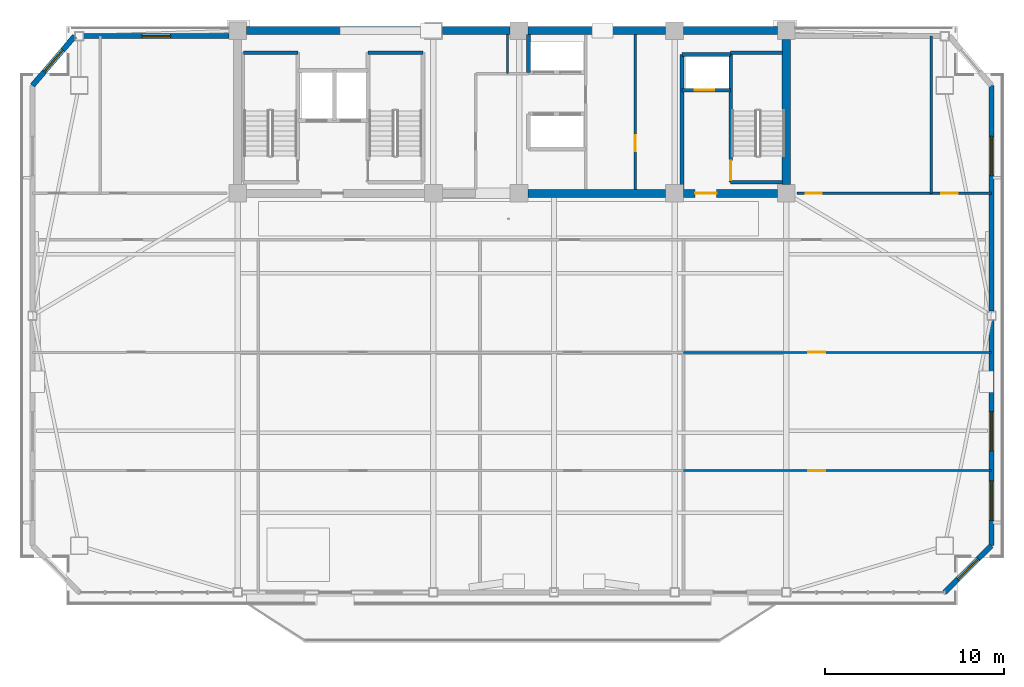
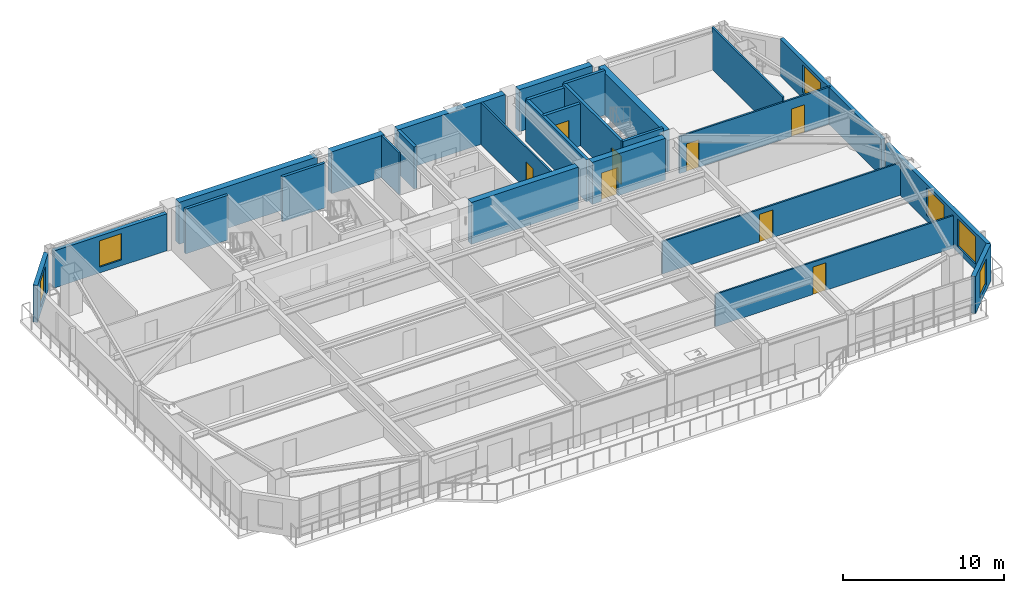
# One storey, part 10 of 17: 27 walls, 8 doors, 6 windows, 14 openings.
"""IFC4 building model written with IfcOpenShell, lengths in metres."""

from ifc_helpers import new_model, si_unit, direction, frame, frame_2d, origin, place, context, subcontext, project, spatial, rectangle, extrude, source, transform, mapped, material, layer, layer_set, type_object, element, fill, save


model = new_model("IFC4")

# Units and contexts
model_context = context("Model", 3, precision=1e-05, world=origin(), true_north=direction((0.0, 1.0)))
body_context = subcontext(model_context, "Body", "Model", "MODEL_VIEW")
ifc_project = project(units=[si_unit("LENGTHUNIT", "METRE"), si_unit("AREAUNIT", "SQUARE_METRE"), si_unit("VOLUMEUNIT", "CUBIC_METRE"), si_unit("PLANEANGLEUNIT", "RADIAN"), si_unit("MASSUNIT", "GRAM", prefix="KILO")], contexts=[model_context])

# Site, building, storey
site_placement = place(None, origin())
site = spatial("IfcSite", under=ifc_project, at=site_placement, CompositionType="ELEMENT")
building_placement = place(site_placement, origin())
building = spatial("IfcBuilding", under=site, at=building_placement, Name="Giltprow Tower", CompositionType="ELEMENT")
storey_placement = place(building_placement, frame((0.0, 0.0, 251.89990234375)))
storey = spatial("IfcBuildingStorey", under=building, at=storey_placement, Name="L64", CompositionType="ELEMENT", Elevation=251.89990234375)

# Wall, opening, window
ifc_material_1 = material(Name="Precast concrete C40", Category="concrete")
ifc_layer_1 = layer(ifc_material_1, 0.300048828125, Name="Precast concrete C40")
ifc_layer_set_1 = layer_set([ifc_layer_1], Name="Precast concrete C40")
wall_type_1 = type_object("IfcWallType", Name="EW-NOTCH-CHAMFER-300", PredefinedType="SOLIDWALL", material=ifc_layer_set_1)
wall_1_placement = place(storey_placement, frame((59.422119140625, 15.113037109375, 0.0), z_axis=(0.0, 0.0, 1.0), x_axis=(0.707106781187, 0.707106781187, 0.0)))
wall_1 = element("IfcWall", 1, at=wall_1_placement, inside=storey, type_object=wall_type_1, Name="L64 Corner Notch Wall SE", PredefinedType="SOLIDWALL", context=body_context, shape_type="SweptSolid", body=[
    extrude(rectangle(XDim=3.6982421875, YDim=0.300048828125, at=frame_2d((1.84912109375, 0.0))), origin(), (0.0, 0.0, 1.0), 2.815185546875),
])
opening_1_placement = place(wall_1_placement, frame((1.049072265625, 0.0, 0.449951171875)))
opening_1 = element("IfcOpeningElement", 2, at=opening_1_placement, cuts=wall_1, Name="Opening WN17", PredefinedType="OPENING", context=body_context, shape_type="SweptSolid", body=[
    extrude(rectangle(XDim=1.60009765625, YDim=2.0, at=frame_2d((0.800048828125, 1.0))), frame((0.0, 0.159912109375, 0.0), z_axis=(0.0, -1.0, 0.0), x_axis=(1.0, 0.0, 0.0)), (0.0, 0.0, 1.0), 0.320068359375),
])
ifc_material_2 = material(Name="Insulated glass", Category="glass")
window_type_1 = type_object("IfcWindowType", Name="WN-COR-1600x2000", PartitioningType="SINGLE_PANEL", PredefinedType="WINDOW", material=ifc_material_2)
shared_shape_1 = source(origin(), body_context, "Body", "SweptSolid", [
    extrude(rectangle(XDim=1.60009765625, YDim=2.0, at=frame_2d((0.800048828125, 1.0))), frame((0.0, 0.030029296875, 0.0), z_axis=(0.0, -1.0, 0.0), x_axis=(1.0, 0.0, 0.0)), (0.0, 0.0, 1.0), 0.06005859375),
])
window_1_placement = place(opening_1_placement, origin())
window_1 = element("IfcWindow", 3, at=window_1_placement, inside=storey, type_object=window_type_1, Name="L64 Corner Notch Window SE", OverallHeight=2.0, OverallWidth=1.60009765625, PartitioningType="SINGLE_PANEL", PredefinedType="WINDOW", context=body_context, shape_type="MappedRepresentation", body=[
    mapped(shared_shape_1, transform((0.0, 0.0, 0.0), x_axis=(1.0, 0.0, 0.0), y_axis=(0.0, 1.0, 0.0), z_axis=(0.0, 0.0, 1.0), scale=1.0)),
])
fill(opening_1, window_1)

wall_2_placement = place(storey_placement, frame((10.72900390625, 46.25, 0.0), z_axis=(0.0, 0.0, 1.0), x_axis=(-0.65001186438, -0.759924059472, 0.0)))
wall_2 = element("IfcWall", 4, at=wall_2_placement, inside=storey, type_object=wall_type_1, Name="L64 Corner Notch Wall NW", PredefinedType="SOLIDWALL", context=body_context, shape_type="SweptSolid", body=[
    extrude(rectangle(XDim=3.638427734375, YDim=0.300048828125, at=frame_2d((1.8193359375, 0.0))), origin(), (0.0, 0.0, 1.0), 2.815185546875),
])
opening_2_placement = place(wall_2_placement, frame((1.01904296875, 0.0, 0.449951171875)))
opening_2 = element("IfcOpeningElement", 5, at=opening_2_placement, cuts=wall_2, Name="Opening WN17", PredefinedType="OPENING", context=body_context, shape_type="SweptSolid", body=[
    extrude(rectangle(XDim=1.60009765625, YDim=2.0, at=frame_2d((0.800048828125, 1.0))), frame((0.0, 0.159912109375, 0.0), z_axis=(0.0, -1.0, 0.0), x_axis=(1.0, 0.0, 0.0)), (0.0, 0.0, 1.0), 0.320068359375),
])
window_2_placement = place(opening_2_placement, origin())
window_2 = element("IfcWindow", 6, at=window_2_placement, inside=storey, type_object=window_type_1, Name="L64 Corner Notch Window NW", OverallHeight=2.0, OverallWidth=1.60009765625, PartitioningType="SINGLE_PANEL", PredefinedType="WINDOW", context=body_context, shape_type="MappedRepresentation", body=[
    mapped(shared_shape_1, transform((0.0, 0.0, 0.0), x_axis=(1.0, 0.0, 0.0), y_axis=(0.0, 1.0, 0.0), z_axis=(0.0, 0.0, 1.0), scale=1.0)),
])
fill(opening_2, window_2)

# Wall, openings, windows
ifc_layer_2 = layer(ifc_material_1, 0.280029296875, Name="Precast concrete C40")
ifc_layer_set_2 = layer_set([ifc_layer_2], Name="Precast concrete C40")
wall_type_2 = type_object("IfcWallType", Name="EW-TOW-BRONZE-280", PredefinedType="SOLIDWALL", material=ifc_layer_set_2)
wall_3_placement = place(storey_placement, frame((62.037109375, 17.72802734375, 0.0), z_axis=(0.0, 0.0, 1.0), x_axis=(0.0, 1.0, 0.0)))
wall_3 = element("IfcWall", 7, at=wall_3_placement, inside=storey, type_object=wall_type_2, Name="L64 E Wing Masonry Wall 1", PredefinedType="SOLIDWALL", context=body_context, shape_type="SweptSolid", body=[
    extrude(rectangle(XDim=12.62890625, YDim=0.280029296875, at=frame_2d((6.314453125, 0.0))), origin(), (0.0, 0.0, 1.0), 2.815185546875),
])
opening_3_placement = place(wall_3_placement, frame((1.422119140625, 0.0, 0.449951171875)))
opening_3 = element("IfcOpeningElement", 8, at=opening_3_placement, cuts=wall_3, Name="Opening WN27", PredefinedType="OPENING", context=body_context, shape_type="SweptSolid", body=[
    extrude(rectangle(XDim=2.199951171875, YDim=2.10009765625, at=frame_2d((1.10009765625, 1.050048828125))), frame((0.0, 0.14990234375, 0.0), z_axis=(0.0, -1.0, 0.0), x_axis=(1.0, 0.0, 0.0)), (0.0, 0.0, 1.0), 0.300048828125),
])
opening_4_placement = place(wall_3_placement, frame((5.31005859375, 0.0, 0.449951171875)))
opening_4 = element("IfcOpeningElement", 9, at=opening_4_placement, cuts=wall_3, Name="Opening WN27", PredefinedType="OPENING", context=body_context, shape_type="SweptSolid", body=[
    extrude(rectangle(XDim=2.199951171875, YDim=2.10009765625, at=frame_2d((1.10009765625, 1.050048828125))), frame((0.0, 0.14990234375, 0.0), z_axis=(0.0, -1.0, 0.0), x_axis=(1.0, 0.0, 0.0)), (0.0, 0.0, 1.0), 0.300048828125),
])
window_type_2 = type_object("IfcWindowType", Name="WN-RES-2200x2100", PartitioningType="TRIPLE_PANEL_VERTICAL", PredefinedType="WINDOW", material=ifc_material_2)
shared_shape_2 = source(origin(), body_context, "Body", "SweptSolid", [
    extrude(rectangle(XDim=2.199951171875, YDim=2.10009765625, at=frame_2d((1.10009765625, 1.050048828125))), frame((0.0, 0.030029296875, 0.0), z_axis=(0.0, -1.0, 0.0), x_axis=(1.0, 0.0, 0.0)), (0.0, 0.0, 1.0), 0.06005859375),
])
window_3_placement = place(opening_3_placement, origin())
window_3 = element("IfcWindow", 10, at=window_3_placement, inside=storey, type_object=window_type_2, Name="L64 E Wing Window 1-1A", OverallHeight=2.10009765625, OverallWidth=2.199951171875, PartitioningType="SINGLE_PANEL", PredefinedType="WINDOW", context=body_context, shape_type="MappedRepresentation", body=[
    mapped(shared_shape_2, transform((0.0, 0.0, 0.0), x_axis=(1.0, 0.0, 0.0), y_axis=(0.0, 1.0, 0.0), z_axis=(0.0, 0.0, 1.0), scale=1.0)),
])
fill(opening_3, window_3)
window_4_placement = place(opening_4_placement, origin())
window_4 = element("IfcWindow", 11, at=window_4_placement, inside=storey, type_object=window_type_2, Name="L64 E Wing Window 1-1B", OverallHeight=2.10009765625, OverallWidth=2.199951171875, PartitioningType="SINGLE_PANEL", PredefinedType="WINDOW", context=body_context, shape_type="MappedRepresentation", body=[
    mapped(shared_shape_2, transform((0.0, 0.0, 0.0), x_axis=(1.0, 0.0, 0.0), y_axis=(0.0, 1.0, 0.0), z_axis=(0.0, 0.0, 1.0), scale=1.0)),
])
fill(opening_4, window_4)

# Wall, opening, window
wall_4_placement = place(storey_placement, frame((62.037109375, 30.85693359375, 0.0), z_axis=(0.0, 0.0, 1.0), x_axis=(0.0, 1.0, 0.0)))
wall_4 = element("IfcWall", 12, at=wall_4_placement, inside=storey, type_object=wall_type_2, Name="L64 E Wing Masonry Wall 2", PredefinedType="SOLIDWALL", context=body_context, shape_type="SweptSolid", body=[
    extrude(rectangle(XDim=12.628173828125, YDim=0.280029296875, at=frame_2d((6.31396484375, 0.0))), origin(), (0.0, 0.0, 1.0), 2.815185546875),
])
opening_5_placement = place(wall_4_placement, frame((7.5830078125, 0.0, 0.449951171875)))
opening_5 = element("IfcOpeningElement", 13, at=opening_5_placement, cuts=wall_4, Name="Opening WN27", PredefinedType="OPENING", context=body_context, shape_type="SweptSolid", body=[
    extrude(rectangle(XDim=2.199951171875, YDim=2.10009765625, at=frame_2d((1.10009765625, 1.050048828125))), frame((0.0, 0.14990234375, 0.0), z_axis=(0.0, -1.0, 0.0), x_axis=(1.0, 0.0, 0.0)), (0.0, 0.0, 1.0), 0.300048828125),
])
window_5_placement = place(opening_5_placement, origin())
window_5 = element("IfcWindow", 14, at=window_5_placement, inside=storey, type_object=window_type_2, Name="L64 E Wing Window 2-1", OverallHeight=2.10009765625, OverallWidth=2.199951171875, PartitioningType="SINGLE_PANEL", PredefinedType="WINDOW", context=body_context, shape_type="MappedRepresentation", body=[
    mapped(shared_shape_2, transform((0.0, 0.0, 0.0), x_axis=(1.0, 0.0, 0.0), y_axis=(0.0, 1.0, 0.0), z_axis=(0.0, 0.0, 1.0), scale=1.0)),
])
fill(opening_5, window_5)

wall_5_placement = place(storey_placement, frame((11.22900390625, 46.25, 0.0), z_axis=(0.0, 0.0, 1.0), x_axis=(1.0, 0.0, 0.0)))
wall_5 = element("IfcWall", 15, at=wall_5_placement, inside=storey, type_object=wall_type_2, Name="L64 North-West Wing Wall", PredefinedType="SOLIDWALL", context=body_context, shape_type="SweptSolid", body=[
    extrude(rectangle(XDim=8.12109375, YDim=0.280029296875, at=frame_2d((4.060546875, 0.0))), origin(), (0.0, 0.0, 1.0), 2.815185546875),
])
opening_6_placement = place(wall_5_placement, frame((3.260986328125, 0.0, 0.449951171875)))
opening_6 = element("IfcOpeningElement", 16, at=opening_6_placement, cuts=wall_5, Name="Opening WN17", PredefinedType="OPENING", context=body_context, shape_type="SweptSolid", body=[
    extrude(rectangle(XDim=1.60009765625, YDim=2.0, at=frame_2d((0.800048828125, 1.0))), frame((0.0, 0.14990234375, 0.0), z_axis=(0.0, -1.0, 0.0), x_axis=(1.0, 0.0, 0.0)), (0.0, 0.0, 1.0), 0.300048828125),
])
window_6_placement = place(opening_6_placement, origin())
window_6 = element("IfcWindow", 17, at=window_6_placement, inside=storey, type_object=window_type_1, Name="L64 North-West Window", OverallHeight=2.0, OverallWidth=1.60009765625, PartitioningType="SINGLE_PANEL", PredefinedType="WINDOW", context=body_context, shape_type="MappedRepresentation", body=[
    mapped(shared_shape_1, transform((0.0, 0.0, 0.0), x_axis=(1.0, 0.0, 0.0), y_axis=(0.0, 1.0, 0.0), z_axis=(0.0, 0.0, 1.0), scale=1.0)),
])
fill(opening_6, window_6)

# Wall, opening, door
ifc_material_3 = material(Name="Gypsum stud partition", Category="gypsum")
ifc_layer_3 = layer(ifc_material_3, 0.1201171875, Name="Gypsum stud partition")
ifc_layer_set_3 = layer_set([ifc_layer_3], Name="Gypsum stud partition")
wall_type_3 = type_object("IfcWallType", Name="IW-ROOM-120", PredefinedType="PARTITIONING", material=ifc_layer_set_3)
wall_6_placement = place(storey_placement, frame((44.800048828125, 21.927978515625, 0.0), z_axis=(0.0, 0.0, 1.0), x_axis=(1.0, 0.0, 0.0)))
wall_6 = element("IfcWall", 18, at=wall_6_placement, inside=storey, type_object=wall_type_3, Name="L64 Special Split 1", PredefinedType="PARTITIONING", context=body_context, shape_type="SweptSolid", body=[
    extrude(rectangle(XDim=17.237060546875, YDim=0.1201171875, at=frame_2d((8.61865234375, 0.0))), origin(), (0.0, 0.0, 1.0), 2.47021484375),
])
opening_7_placement = place(wall_6_placement, frame((6.98095703125, 0.0, 0.0)))
opening_7 = element("IfcOpeningElement", 19, at=opening_7_placement, cuts=wall_6, Name="Opening ID11", PredefinedType="OPENING", context=body_context, shape_type="SweptSolid", body=[
    extrude(rectangle(XDim=0.949951171875, YDim=2.10009765625, at=frame_2d((0.47509765625, 1.050048828125))), frame((0.0, 0.070068359375, 0.0), z_axis=(0.0, -1.0, 0.0), x_axis=(1.0, 0.0, 0.0)), (0.0, 0.0, 1.0), 0.14013671875),
])
ifc_material_4 = material(Name="Engineered timber", Category="wood")
door_type_1 = type_object("IfcDoorType", Name="DR-ROOM-950", OperationType="SINGLE_SWING_RIGHT", PredefinedType="DOOR", material=ifc_material_4)
shared_shape_3 = source(origin(), body_context, "Body", "SweptSolid", [
    extrude(rectangle(XDim=0.949951171875, YDim=2.10009765625, at=frame_2d((0.47509765625, 1.050048828125))), frame((0.0, 0.02490234375, 0.0), z_axis=(0.0, -1.0, 0.0), x_axis=(1.0, 0.0, 0.0)), (0.0, 0.0, 1.0), 0.050048828125),
])
door_1_placement = place(opening_7_placement, origin())
door_1 = element("IfcDoor", 20, at=door_1_placement, inside=storey, type_object=door_type_1, Name="L64 Artisan Bakery Shop 2 South Door", OperationType="SINGLE_SWING_LEFT", OverallHeight=2.10009765625, OverallWidth=0.949951171875, PredefinedType="DOOR", context=body_context, shape_type="MappedRepresentation", body=[
    mapped(shared_shape_3, transform((0.0, 0.0, 0.0), x_axis=(1.0, 0.0, 0.0), y_axis=(0.0, 1.0, 0.0), z_axis=(0.0, 0.0, 1.0), scale=1.0)),
])
fill(opening_7, door_1)

wall_7_placement = place(storey_placement, frame((44.800048828125, 28.5439453125, 0.0), z_axis=(0.0, 0.0, 1.0), x_axis=(1.0, 0.0, 0.0)))
wall_7 = element("IfcWall", 21, at=wall_7_placement, inside=storey, type_object=wall_type_3, Name="L64 Special Split 2", PredefinedType="PARTITIONING", context=body_context, shape_type="SweptSolid", body=[
    extrude(rectangle(XDim=17.237060546875, YDim=0.1201171875, at=frame_2d((8.61865234375, 0.0))), origin(), (0.0, 0.0, 1.0), 2.47021484375),
])
opening_8_placement = place(wall_7_placement, frame((6.98095703125, 0.0, 0.0)))
opening_8 = element("IfcOpeningElement", 22, at=opening_8_placement, cuts=wall_7, Name="Opening ID11", PredefinedType="OPENING", context=body_context, shape_type="SweptSolid", body=[
    extrude(rectangle(XDim=0.949951171875, YDim=2.10009765625, at=frame_2d((0.47509765625, 1.050048828125))), frame((0.0, 0.070068359375, 0.0), z_axis=(0.0, -1.0, 0.0), x_axis=(1.0, 0.0, 0.0)), (0.0, 0.0, 1.0), 0.14013671875),
])
door_2_placement = place(opening_8_placement, origin())
door_2 = element("IfcDoor", 23, at=door_2_placement, inside=storey, type_object=door_type_1, Name="L64 Artisan Bakery Shop 2 Mid Door", OperationType="SINGLE_SWING_RIGHT", OverallHeight=2.10009765625, OverallWidth=0.949951171875, PredefinedType="DOOR", context=body_context, shape_type="MappedRepresentation", body=[
    mapped(shared_shape_3, transform((0.0, 0.0, 0.0), x_axis=(1.0, 0.0, 0.0), y_axis=(0.0, 1.0, 0.0), z_axis=(0.0, 0.0, 1.0), scale=1.0)),
])
fill(opening_8, door_2)

ifc_material_5 = material(Name="Concrete C40", Category="concrete")
ifc_layer_4 = layer(ifc_material_5, 0.219970703125, Name="Concrete C40")
ifc_layer_set_4 = layer_set([ifc_layer_4], Name="Concrete C40")
wall_type_4 = type_object("IfcWallType", Name="IW-SHAFT-220", PredefinedType="SOLIDWALL", material=ifc_layer_set_4)
wall_8_placement = place(storey_placement, frame((44.719970703125, 43.219970703125, 0.0), z_axis=(0.0, 0.0, 1.0), x_axis=(1.0, 0.0, 0.0)))
wall_8 = element("IfcWall", 24, at=wall_8_placement, inside=storey, type_object=wall_type_4, Name="L64 FFL2 Front Shaft Wall", PredefinedType="SOLIDWALL", context=body_context, shape_type="SweptSolid", body=[
    extrude(rectangle(XDim=2.719970703125, YDim=0.219970703125, at=frame_2d((1.35986328125, 0.0))), origin(), (0.0, 0.0, 1.0), 3.18505859375),
])
opening_9_placement = place(wall_8_placement, frame((0.699951171875, 0.0, 0.0)))
opening_9 = element("IfcOpeningElement", 25, at=opening_9_placement, cuts=wall_8, Name="Opening LD-11", PredefinedType="OPENING", context=body_context, shape_type="SweptSolid", body=[
    extrude(rectangle(XDim=1.10009765625, YDim=2.199951171875, at=frame_2d((0.550048828125, 1.10009765625))), frame((0.0, 0.119873046875, 0.0), z_axis=(0.0, -1.0, 0.0), x_axis=(1.0, 0.0, 0.0)), (0.0, 0.0, 1.0), 0.239990234375),
])
ifc_material_6 = material(Name="Stainless steel", Category="steel")
door_type_2 = type_object("IfcDoorType", Name="DR-LIFT-LD1100", OperationType="SLIDING_TO_LEFT", PredefinedType="DOOR", material=ifc_material_6)
shared_shape_4 = source(origin(), body_context, "Body", "SweptSolid", [
    extrude(rectangle(XDim=1.10009765625, YDim=2.199951171875, at=frame_2d((0.550048828125, 1.10009765625))), frame((0.0, 0.02490234375, 0.0), z_axis=(0.0, -1.0, 0.0), x_axis=(1.0, 0.0, 0.0)), (0.0, 0.0, 1.0), 0.050048828125),
])
door_3_placement = place(opening_9_placement, origin())
door_3 = element("IfcDoor", 26, at=door_3_placement, inside=storey, type_object=door_type_2, Name="L64 FFL2 Landing Door", OperationType="SLIDING_TO_LEFT", OverallHeight=2.199951171875, OverallWidth=1.10009765625, PredefinedType="DOOR", context=body_context, shape_type="MappedRepresentation", body=[
    mapped(shared_shape_4, transform((0.0, 0.0, 0.0), x_axis=(1.0, 0.0, 0.0), y_axis=(0.0, 1.0, 0.0), z_axis=(0.0, 0.0, 1.0), scale=1.0)),
])
fill(opening_9, door_3)

# Walls
wall_9_placement = place(storey_placement, frame((44.719970703125, 45.219970703125, 0.0), z_axis=(0.0, 0.0, 1.0), x_axis=(1.0, 0.0, 0.0)))
element("IfcWall", 27, at=wall_9_placement, inside=storey, type_object=wall_type_4, Name="L64 FFL2 Back Shaft Wall", PredefinedType="SOLIDWALL", context=body_context, shape_type="SweptSolid", body=[
    extrude(rectangle(XDim=2.719970703125, YDim=0.219970703125, at=frame_2d((1.35986328125, 0.0))), origin(), (0.0, 0.0, 1.0), 3.18505859375),
])
wall_10_placement = place(storey_placement, frame((44.719970703125, 37.655029296875, 0.0), z_axis=(0.0, 0.0, 1.0), x_axis=(0.0, 1.0, 0.0)))
element("IfcWall", 28, at=wall_10_placement, inside=storey, type_object=wall_type_4, Name="L64 East Firefighting Lobby West Wall", PredefinedType="SOLIDWALL", context=body_context, shape_type="SweptSolid", body=[
    extrude(rectangle(XDim=7.56494140625, YDim=0.219970703125, at=frame_2d((3.782470703125, 0.0))), origin(), (0.0, 0.0, 1.0), 3.18505859375),
])
wall_11_placement = place(storey_placement, frame((36.1201171875, 44.219970703125, 0.0), z_axis=(0.0, 0.0, 1.0), x_axis=(0.0, 1.0, 0.0)))
element("IfcWall", 29, at=wall_11_placement, inside=storey, type_object=wall_type_4, Name="L64 High-Rise North Lift West Closure", PredefinedType="SOLIDWALL", context=body_context, shape_type="SweptSolid", body=[
    extrude(rectangle(XDim=2.125, YDim=0.219970703125, at=frame_2d((1.0625, 0.0))), origin(), (0.0, 0.0, 1.0), 3.18505859375),
])
ifc_layer_5 = layer(ifc_material_5, 0.199951171875, Name="Concrete C40")
ifc_layer_set_5 = layer_set([ifc_layer_5], Name="Concrete C40")
wall_type_5 = type_object("IfcWallType", Name="IW-STAIR-200", PredefinedType="SOLIDWALL", material=ifc_layer_set_5)
wall_12_placement = place(storey_placement, frame((20.169921875, 45.320068359375, 0.0), z_axis=(0.0, 0.0, 1.0), x_axis=(1.0, 0.0, 0.0)))
element("IfcWall", 30, at=wall_12_placement, inside=storey, type_object=wall_type_5, Name="L64 Stair ST-1 North Bearing Wall", PredefinedType="SOLIDWALL", context=body_context, shape_type="SweptSolid", body=[
    extrude(rectangle(XDim=3.050048828125, YDim=0.199951171875, at=frame_2d((1.52490234375, 0.0))), origin(), (0.0, 0.0, 1.0), 3.400146484375),
])
wall_13_placement = place(storey_placement, frame((27.139892578125, 45.320068359375, 0.0), z_axis=(0.0, 0.0, 1.0), x_axis=(1.0, 0.0, 0.0)))
element("IfcWall", 31, at=wall_13_placement, inside=storey, type_object=wall_type_5, Name="L64 Stair ST-2 North Bearing Wall", PredefinedType="SOLIDWALL", context=body_context, shape_type="SweptSolid", body=[
    extrude(rectangle(XDim=3.080078125, YDim=0.199951171875, at=frame_2d((1.5400390625, 0.0))), origin(), (0.0, 0.0, 1.0), 3.400146484375),
])

# Wall, opening, door
wall_14_placement = place(storey_placement, frame((47.43994140625, 38.070068359375, 0.0), z_axis=(0.0, 0.0, 1.0), x_axis=(0.0, 1.0, 0.0)))
wall_14 = element("IfcWall", 32, at=wall_14_placement, inside=storey, type_object=wall_type_5, Name="L64 Stair ST-3 West Bearing Wall", PredefinedType="SOLIDWALL", context=body_context, shape_type="SweptSolid", body=[
    extrude(rectangle(XDim=7.25, YDim=0.199951171875, at=frame_2d((3.625, 0.0))), origin(), (0.0, 0.0, 1.0), 3.400146484375),
])
opening_10_placement = place(wall_14_placement, frame((0.110107421875, 0.0, 0.0)))
opening_10 = element("IfcOpeningElement", 33, at=opening_10_placement, cuts=wall_14, Name="Opening ID33", PredefinedType="OPENING", context=body_context, shape_type="SweptSolid", body=[
    extrude(rectangle(XDim=1.10009765625, YDim=2.14990234375, at=frame_2d((0.550048828125, 1.074951171875))), frame((0.0, 0.10986328125, 0.0), z_axis=(0.0, -1.0, 0.0), x_axis=(1.0, 0.0, 0.0)), (0.0, 0.0, 1.0), 0.219970703125),
])
ifc_material_7 = material(Name="Steel fire leaf", Category="steel")
door_type_3 = type_object("IfcDoorType", Name="DR-STAIR-1100", OperationType="SINGLE_SWING_LEFT", PredefinedType="DOOR", material=ifc_material_7)
shared_shape_5 = source(origin(), body_context, "Body", "SweptSolid", [
    extrude(rectangle(XDim=1.10009765625, YDim=2.14990234375, at=frame_2d((0.550048828125, 1.074951171875))), frame((0.0, 0.02490234375, 0.0), z_axis=(0.0, -1.0, 0.0), x_axis=(1.0, 0.0, 0.0)), (0.0, 0.0, 1.0), 0.050048828125),
])
door_4_placement = place(opening_10_placement, origin())
door_4 = element("IfcDoor", 34, at=door_4_placement, inside=storey, type_object=door_type_3, Name="L64 Stair ST-3 Fire Door", OperationType="SINGLE_SWING_RIGHT", OverallHeight=2.14990234375, OverallWidth=1.10009765625, PredefinedType="DOOR", context=body_context, shape_type="MappedRepresentation", body=[
    mapped(shared_shape_5, transform((0.0, 0.0, 0.0), x_axis=(1.0, 0.0, 0.0), y_axis=(0.0, 1.0, 0.0), z_axis=(0.0, 0.0, 1.0), scale=1.0)),
])
fill(opening_10, door_4)

# Walls
for number, where, z_axis, x_axis, name in (
    (35, (47.43994140625, 45.320068359375, 0.0), (0.0, 0.0, 1.0), (1.0, 0.0, 0.0), "L64 Stair ST-3 North Bearing Wall"),
    (36, (47.43994140625, 38.070068359375, 0.0), (0.0, 0.0, 1.0), (1.0, 0.0, 0.0), "L64 Stair ST-3 South Bearing Wall"),
):
    element("IfcWall", number, at=place(storey_placement, frame(where, z_axis=z_axis, x_axis=x_axis)), inside=storey, type_object=wall_type_5, Name=name, PredefinedType="SOLIDWALL", context=body_context, shape_type="SweptSolid", body=[
        extrude(rectangle(XDim=2.905029296875, YDim=0.199951171875, at=frame_2d((1.45263671875, 0.0))), origin(), (0.0, 0.0, 1.0), 3.400146484375),
    ])
ifc_material_8 = material(Name="Concrete C30", Category="concrete")
ifc_layer_6 = layer(ifc_material_8, 0.1298828125, Name="Concrete C30")
ifc_layer_set_6 = layer_set([ifc_layer_6], Name="Concrete C30")
wall_type_6 = type_object("IfcWallType", Name="IW-WET-130", PredefinedType="PARTITIONING", material=ifc_layer_set_6)
wall_15_placement = place(storey_placement, frame((34.949951171875, 44.14990234375, 0.0), z_axis=(0.0, 0.0, 1.0), x_axis=(0.0, 1.0, 0.0)))
element("IfcWall", 37, at=wall_15_placement, inside=storey, type_object=wall_type_6, Name="L64 Reclaimed West Pocket Wall E", PredefinedType="PARTITIONING", context=body_context, shape_type="SweptSolid", body=[
    extrude(rectangle(XDim=2.195068359375, YDim=0.1298828125, at=frame_2d((1.09765625, 0.0))), origin(), (0.0, 0.0, 1.0), 3.18505859375),
])

# Wall, opening, door
wall_16_placement = place(storey_placement, frame((42.10009765625, 37.655029296875, 0.0), z_axis=(0.0, 0.0, 1.0), x_axis=(0.0, 1.0, 0.0)))
wall_16 = element("IfcWall", 38, at=wall_16_placement, inside=storey, type_object=wall_type_6, Name="L64 East Core Vertical Divider", PredefinedType="PARTITIONING", context=body_context, shape_type="SweptSolid", body=[
    extrude(rectangle(XDim=8.68994140625, YDim=0.1298828125, at=frame_2d((4.344970703125, 0.0))), origin(), (0.0, 0.0, 1.0), 3.18505859375),
])
opening_11_placement = place(wall_16_placement, frame((2.14501953125, 0.0, 0.0)))
opening_11 = element("IfcOpeningElement", 39, at=opening_11_placement, cuts=wall_16, Name="Opening ID35", PredefinedType="OPENING", context=body_context, shape_type="SweptSolid", body=[
    extrude(rectangle(XDim=0.89990234375, YDim=2.10009765625, at=frame_2d((0.449951171875, 1.050048828125))), frame((0.0, 0.074951171875, 0.0), z_axis=(0.0, -1.0, 0.0), x_axis=(1.0, 0.0, 0.0)), (0.0, 0.0, 1.0), 0.14990234375),
])
door_type_4 = type_object("IfcDoorType", Name="DR-SHAFT-900", OperationType="SINGLE_SWING_LEFT", PredefinedType="DOOR", material=ifc_material_7)
shared_shape_6 = source(origin(), body_context, "Body", "SweptSolid", [
    extrude(rectangle(XDim=0.89990234375, YDim=2.10009765625, at=frame_2d((0.449951171875, 1.050048828125))), frame((0.0, 0.02490234375, 0.0), z_axis=(0.0, -1.0, 0.0), x_axis=(1.0, 0.0, 0.0)), (0.0, 0.0, 1.0), 0.050048828125),
])
door_5_placement = place(opening_11_placement, origin())
door_5 = element("IfcDoor", 40, at=door_5_placement, inside=storey, type_object=door_type_4, Name="L64 Core Trunk Room Inner Door", OperationType="SINGLE_SWING_LEFT", OverallHeight=2.10009765625, OverallWidth=0.89990234375, PredefinedType="DOOR", context=body_context, shape_type="MappedRepresentation", body=[
    mapped(shared_shape_6, transform((0.0, 0.0, 0.0), x_axis=(1.0, 0.0, 0.0), y_axis=(0.0, 1.0, 0.0), z_axis=(0.0, 0.0, 1.0), scale=1.0)),
])
fill(opening_11, door_5)

# Wall, openings, doors
wall_17_placement = place(storey_placement, frame((51.14990234375, 37.449951171875, 0.0), z_axis=(0.0, 0.0, 1.0), x_axis=(1.0, 0.0, 0.0)))
wall_17 = element("IfcWall", 41, at=wall_17_placement, inside=storey, type_object=wall_type_6, Name="L64 NE Wing South Wall", PredefinedType="PARTITIONING", context=body_context, shape_type="SweptSolid", body=[
    extrude(rectangle(XDim=10.88720703125, YDim=0.1298828125, at=frame_2d((5.443603515625, 0.0))), origin(), (0.0, 0.0, 1.0), 2.820068359375),
])
opening_12_placement = place(wall_17_placement, frame((0.5, 0.0, 0.0)))
opening_12 = element("IfcOpeningElement", 42, at=opening_12_placement, cuts=wall_17, Name="Opening ID15", PredefinedType="OPENING", context=body_context, shape_type="SweptSolid", body=[
    extrude(rectangle(XDim=0.89990234375, YDim=2.10009765625, at=frame_2d((0.449951171875, 1.050048828125))), frame((0.0, 0.074951171875, 0.0), z_axis=(0.0, -1.0, 0.0), x_axis=(1.0, 0.0, 0.0)), (0.0, 0.0, 1.0), 0.14990234375),
])
opening_13_placement = place(wall_17_placement, frame((8.06103515625, 0.0, 0.0)))
opening_13 = element("IfcOpeningElement", 43, at=opening_13_placement, cuts=wall_17, Name="Opening ID11", PredefinedType="OPENING", context=body_context, shape_type="SweptSolid", body=[
    extrude(rectangle(XDim=0.949951171875, YDim=2.10009765625, at=frame_2d((0.47509765625, 1.050048828125))), frame((0.0, 0.074951171875, 0.0), z_axis=(0.0, -1.0, 0.0), x_axis=(1.0, 0.0, 0.0)), (0.0, 0.0, 1.0), 0.14990234375),
])
door_type_5 = type_object("IfcDoorType", Name="DR-WC-900", OperationType="SINGLE_SWING_LEFT", PredefinedType="DOOR", material=ifc_material_4)
door_6_placement = place(opening_12_placement, origin())
door_6 = element("IfcDoor", 44, at=door_6_placement, inside=storey, type_object=door_type_5, Name="L64 East Wing Washroom Door", OperationType="SINGLE_SWING_RIGHT", OverallHeight=2.10009765625, OverallWidth=0.89990234375, PredefinedType="DOOR", context=body_context, shape_type="MappedRepresentation", body=[
    mapped(shared_shape_6, transform((0.0, 0.0, 0.0), x_axis=(1.0, 0.0, 0.0), y_axis=(0.0, 1.0, 0.0), z_axis=(0.0, 0.0, 1.0), scale=1.0)),
])
fill(opening_12, door_6)
door_7_placement = place(opening_13_placement, origin())
door_7 = element("IfcDoor", 45, at=door_7_placement, inside=storey, type_object=door_type_1, Name="L64 Residents Reading Lounge Door", OperationType="SINGLE_SWING_LEFT", OverallHeight=2.10009765625, OverallWidth=0.949951171875, PredefinedType="DOOR", context=body_context, shape_type="MappedRepresentation", body=[
    mapped(shared_shape_3, transform((0.0, 0.0, 0.0), x_axis=(1.0, 0.0, 0.0), y_axis=(0.0, 1.0, 0.0), z_axis=(0.0, 0.0, 1.0), scale=1.0)),
])
fill(opening_13, door_7)

# Walls
wall_18_placement = place(storey_placement, frame((58.660888671875, 37.449951171875, 0.0), z_axis=(0.0, 0.0, 1.0), x_axis=(0.0, 1.0, 0.0)))
element("IfcWall", 46, at=wall_18_placement, inside=storey, type_object=wall_type_6, Name="L64 NE Wing Divider", PredefinedType="PARTITIONING", context=body_context, shape_type="SweptSolid", body=[
    extrude(rectangle(XDim=8.800048828125, YDim=0.1298828125, at=frame_2d((4.39990234375, 0.0))), origin(), (0.0, 0.0, 1.0), 3.18505859375),
])
ifc_material_9 = material(Name="Concrete C50", Category="concrete")
ifc_layer_7 = layer(ifc_material_9, 0.449951171875, Name="Concrete C50")
ifc_layer_set_7 = layer_set([ifc_layer_7], Name="Concrete C50")
wall_type_7 = type_object("IfcWallType", Name="SW-EXT-450-C50", PredefinedType="SHEAR", material=ifc_layer_set_7)
wall_19_placement = place(storey_placement, frame((20.35009765625, 46.550048828125, 0.0), z_axis=(0.0, 0.0, 1.0), x_axis=(1.0, 0.0, 0.0)))
element("IfcWall", 47, at=wall_19_placement, inside=storey, type_object=wall_type_7, Name="L64 North Rear Core Shear Wall 1", PredefinedType="SHEAR", context=body_context, shape_type="SweptSolid", body=[
    extrude(rectangle(XDim=9.949951171875, YDim=0.449951171875, at=frame_2d((4.97509765625, 0.0))), origin(), (0.0, 0.0, 1.0), 3.18505859375),
])
wall_20_placement = place(storey_placement, frame((31.300048828125, 46.550048828125, 0.0), z_axis=(0.0, 0.0, 1.0), x_axis=(1.0, 0.0, 0.0)))
element("IfcWall", 48, at=wall_20_placement, inside=storey, type_object=wall_type_7, Name="L64 North Rear Core Shear Wall 2", PredefinedType="SHEAR", context=body_context, shape_type="SweptSolid", body=[
    extrude(rectangle(XDim=3.800048828125, YDim=0.449951171875, at=frame_2d((1.89990234375, 0.0))), origin(), (0.0, 0.0, 1.0), 3.18505859375),
])
wall_21_placement = place(storey_placement, frame((36.10009765625, 46.550048828125, 0.0), z_axis=(0.0, 0.0, 1.0), x_axis=(1.0, 0.0, 0.0)))
element("IfcWall", 49, at=wall_21_placement, inside=storey, type_object=wall_type_7, Name="L64 North Rear Core Shear Wall 3", PredefinedType="SHEAR", context=body_context, shape_type="SweptSolid", body=[
    extrude(rectangle(XDim=7.699951171875, YDim=0.449951171875, at=frame_2d((3.85009765625, 0.0))), origin(), (0.0, 0.0, 1.0), 3.18505859375),
])
wall_22_placement = place(storey_placement, frame((44.800048828125, 46.550048828125, 0.0), z_axis=(0.0, 0.0, 1.0), x_axis=(1.0, 0.0, 0.0)))
element("IfcWall", 50, at=wall_22_placement, inside=storey, type_object=wall_type_7, Name="L64 North Rear Core Shear Wall 4", PredefinedType="SHEAR", context=body_context, shape_type="SweptSolid", body=[
    extrude(rectangle(XDim=5.25, YDim=0.449951171875, at=frame_2d((2.625, 0.0))), origin(), (0.0, 0.0, 1.0), 3.18505859375),
])
ifc_layer_8 = layer(ifc_material_9, 0.449951171875, Name="Concrete C50")
ifc_layer_set_8 = layer_set([ifc_layer_8], Name="Concrete C50")
wall_type_8 = type_object("IfcWallType", Name="SW-INT-450-C50", PredefinedType="SHEAR", material=ifc_layer_set_8)
wall_23_placement = place(storey_placement, frame((36.10009765625, 37.449951171875, 0.0), z_axis=(0.0, 0.0, 1.0), x_axis=(1.0, 0.0, 0.0)))
element("IfcWall", 51, at=wall_23_placement, inside=storey, type_object=wall_type_8, Name="L64 South Rear Core Shear Wall Mid-East", PredefinedType="SHEAR", context=body_context, shape_type="SweptSolid", body=[
    extrude(rectangle(XDim=7.699951171875, YDim=0.449951171875, at=frame_2d((3.85009765625, 0.0))), origin(), (0.0, 0.0, 1.0), 3.18505859375),
])

# Wall, opening, door
wall_24_placement = place(storey_placement, frame((44.800048828125, 37.449951171875, 0.0), z_axis=(0.0, 0.0, 1.0), x_axis=(1.0, 0.0, 0.0)))
wall_24 = element("IfcWall", 52, at=wall_24_placement, inside=storey, type_object=wall_type_8, Name="L64 South Rear Core Shear Wall East", PredefinedType="SHEAR", context=body_context, shape_type="SweptSolid", body=[
    extrude(rectangle(XDim=5.25, YDim=0.449951171875, at=frame_2d((2.625, 0.0))), origin(), (0.0, 0.0, 1.0), 3.18505859375),
])
opening_14_placement = place(wall_24_placement, frame((0.64990234375, 0.0, 0.0)))
opening_14 = element("IfcOpeningElement", 53, at=opening_14_placement, cuts=wall_24, Name="Opening ID19", PredefinedType="OPENING", context=body_context, shape_type="SweptSolid", body=[
    extrude(rectangle(XDim=1.199951171875, YDim=2.14990234375, at=frame_2d((0.60009765625, 1.074951171875))), frame((0.0, 0.23486328125, 0.0), z_axis=(0.0, -1.0, 0.0), x_axis=(1.0, 0.0, 0.0)), (0.0, 0.0, 1.0), 0.469970703125),
])
door_type_6 = type_object("IfcDoorType", Name="DR-FFLOBBY-1200", OperationType="SINGLE_SWING_RIGHT", PredefinedType="DOOR", material=ifc_material_7)
shared_shape_7 = source(origin(), body_context, "Body", "SweptSolid", [
    extrude(rectangle(XDim=1.199951171875, YDim=2.14990234375, at=frame_2d((0.60009765625, 1.074951171875))), frame((0.0, 0.02490234375, 0.0), z_axis=(0.0, -1.0, 0.0), x_axis=(1.0, 0.0, 0.0)), (0.0, 0.0, 1.0), 0.050048828125),
])
door_8_placement = place(opening_14_placement, origin())
door_8 = element("IfcDoor", 54, at=door_8_placement, inside=storey, type_object=door_type_6, Name="L64 East Firefighting Lobby Entry Door", OperationType="SINGLE_SWING_RIGHT", OverallHeight=2.14990234375, OverallWidth=1.199951171875, PredefinedType="DOOR", context=body_context, shape_type="MappedRepresentation", body=[
    mapped(shared_shape_7, transform((0.0, 0.0, 0.0), x_axis=(1.0, 0.0, 0.0), y_axis=(0.0, 1.0, 0.0), z_axis=(0.0, 0.0, 1.0), scale=1.0)),
])
fill(opening_14, door_8)

# Wall
wall_25_placement = place(storey_placement, frame((50.550048828125, 37.949951171875, 0.0), z_axis=(0.0, 0.0, 1.0), x_axis=(0.0, 1.0, 0.0)))
element("IfcWall", 55, at=wall_25_placement, inside=storey, type_object=wall_type_8, Name="L64 E Rear Core Shear Wall", PredefinedType="SHEAR", context=body_context, shape_type="SweptSolid", body=[
    extrude(rectangle(XDim=8.10009765625, YDim=0.449951171875, at=frame_2d((4.050048828125, 0.0))), origin(), (0.0, 0.0, 1.0), 3.18505859375),
])

save(model, "model.ifc")
